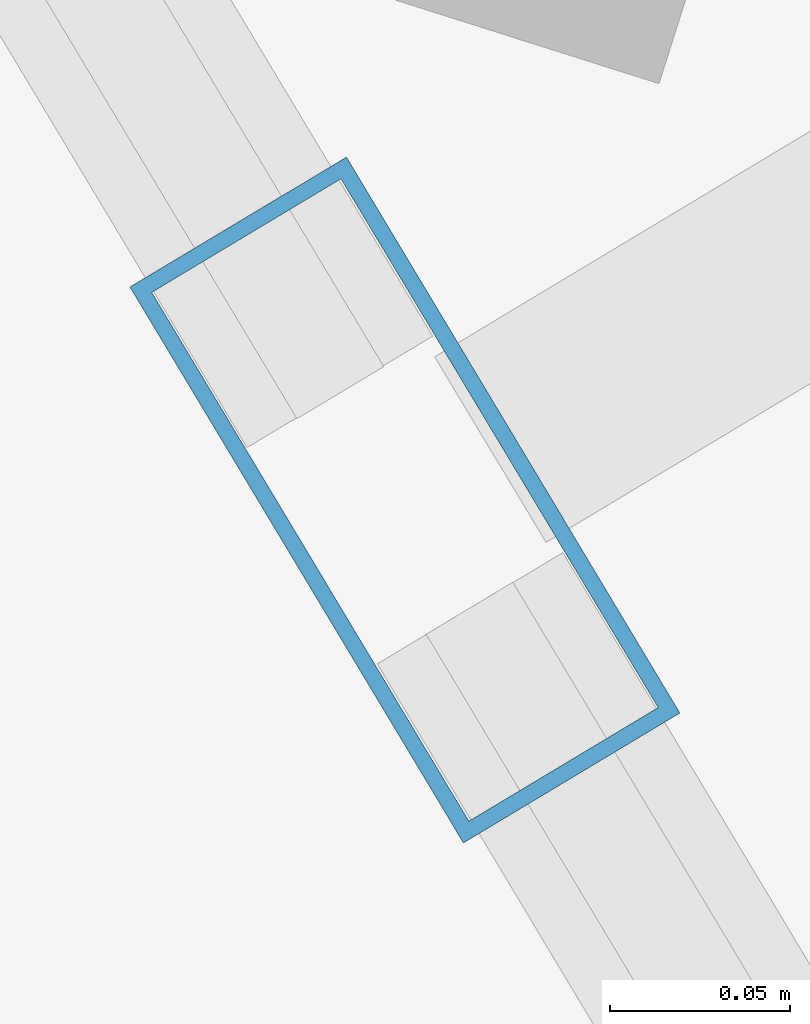
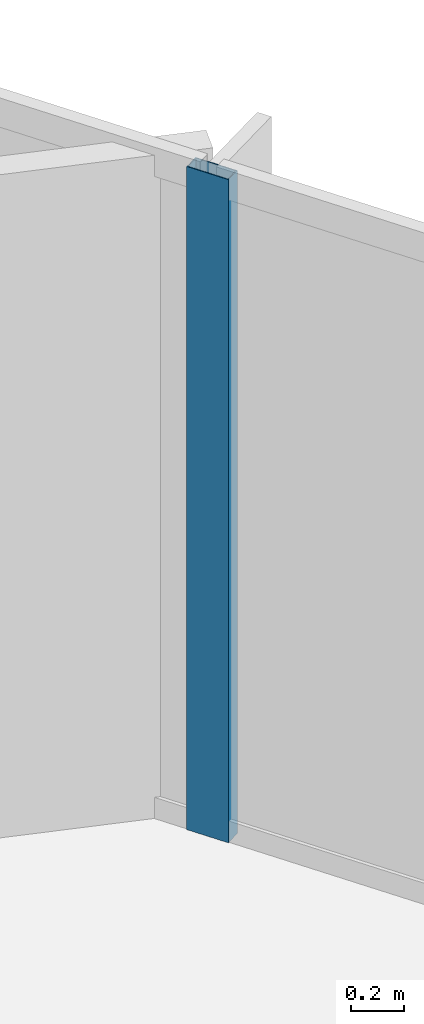
# One storey, part 18 of 35: 1 member, 1 element without a shape of its own.
"""IFC4 building model written with IfcOpenShell, lengths in metres."""

from ifc_helpers import new_model, si_unit, direction, frame, origin, origin_2d, place, context, subcontext, project, spatial, hollow_rectangle, extrude, material, layer, layer_set, material_profile, profile_set, type_object, element, aggregate, save


model = new_model("IFC4")

# Units and contexts
model_context = context("Model", 3, precision=1e-05, world=origin(), true_north=direction((0.0, 1.0)))
body_context = subcontext(model_context, "Body", "Model", "MODEL_VIEW")
ifc_project = project(units=[si_unit("LENGTHUNIT", "METRE"), si_unit("AREAUNIT", "SQUARE_METRE"), si_unit("VOLUMEUNIT", "CUBIC_METRE"), si_unit("PLANEANGLEUNIT", "RADIAN"), si_unit("MASSUNIT", "GRAM", prefix="KILO")], contexts=[model_context])

# Site, building, storey
site_placement = place(None, origin())
site = spatial("IfcSite", under=ifc_project, at=site_placement, CompositionType="ELEMENT")
building_placement = place(site_placement, origin())
building = spatial("IfcBuilding", under=site, at=building_placement, Name="Orvanel Arch Residences", CompositionType="ELEMENT")
storey_placement = place(building_placement, frame((0.0, 0.0, 40.10009765625)))
storey = spatial("IfcBuildingStorey", under=building, at=storey_placement, Name="L10", CompositionType="ELEMENT", Elevation=40.10009765625)

# Curtain wall, member
ifc_material = material(Name="Bronze-anodised aluminium AA6063-T6", Category="aluminium")
ifc_layer = layer(ifc_material, 0.179931640625)
ifc_layer_set = layer_set([ifc_layer], Name="Bronze-anodised aluminium AA6063-T6")
curtain_wall_type = type_object("IfcCurtainWallType", Name="CW2-LOW-SYS", PredefinedType="NOTDEFINED", material=ifc_layer_set)
curtain_wall_placement = place(storey_placement, origin())
curtain_wall = element("IfcCurtainWall", 1, at=curtain_wall_placement, inside=storey, type_object=curtain_wall_type, Name="L10 CW2-LOW-SYS Unitised Curtain Wall", PredefinedType="NOTDEFINED")
ifc_material_profile = material_profile(ifc_material, hollow_rectangle(XDim=0.070068359375, YDim=0.179931640625, WallThickness=0.00439453125, at=origin_2d()), Name="ALU180x70x4.5")
ifc_profile_set = profile_set([ifc_material_profile], Name="Bronze-anodised aluminium AA6063-T6")
member_type = type_object("IfcMemberType", Name="MUL-180x70", PredefinedType="MULLION", material=ifc_profile_set)
member_placement = place(storey_placement, frame((50.314453125, 30.403076171875, 0.0), z_axis=(0.0, 0.0, 1.0), x_axis=(-0.857554559604, -0.514393018326, 0.0)))
member = element("IfcMember", 2, at=member_placement, type_object=member_type, Name="CW-S2 mullion 2", PredefinedType="MULLION", context=body_context, shape_type="SweptSolid", body=[
    extrude(hollow_rectangle(XDim=0.070068359375, YDim=0.179931640625, WallThickness=0.00439453125, at=origin_2d()), origin(), (0.0, 0.0, 1.0), 3.059814453125),
])
aggregate(curtain_wall, [member])

save(model, "model.ifc")
